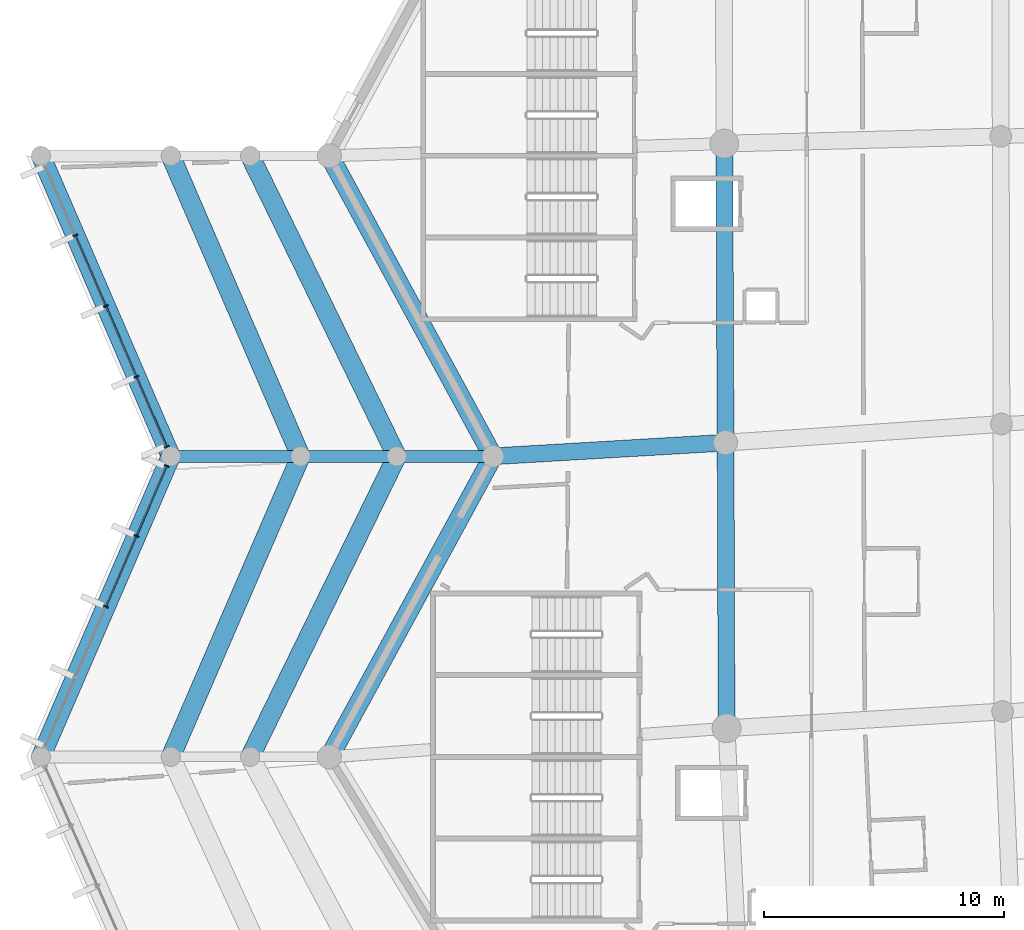
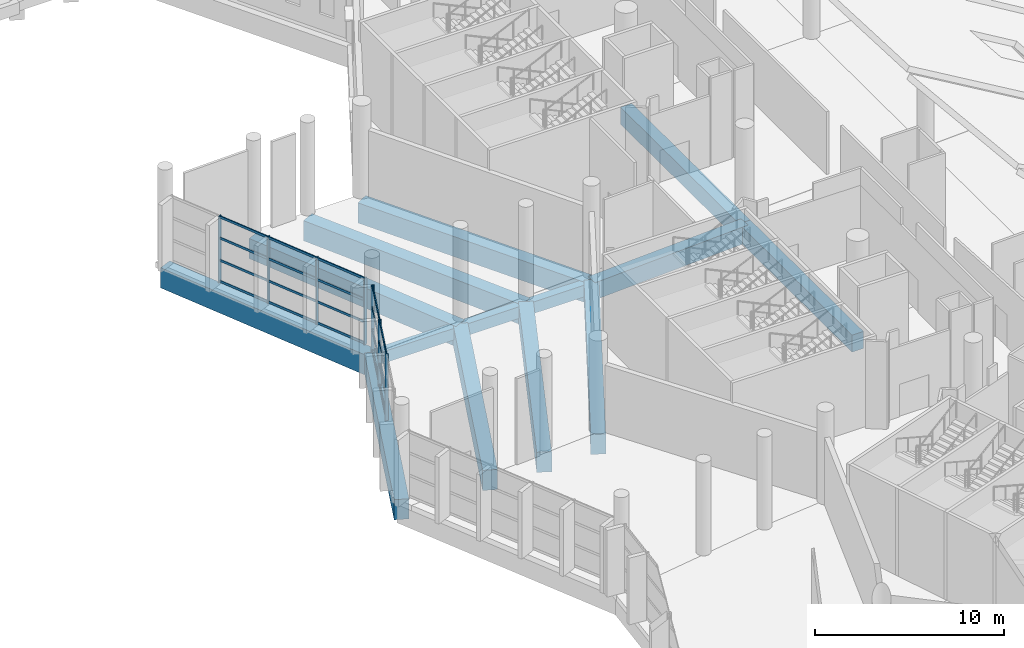
# One storey, part 21 of 249: 27 members, 14 beams, 2 elements without a shape of their own.
"""IFC4 building model written with IfcOpenShell, lengths in metres."""

from ifc_helpers import new_model, si_unit, direction, frame, origin, origin_2d, place, context, subcontext, project, spatial, rectangle, extrude, material, layer, layer_set, material_profile, profile_set, type_object, element, aggregate, save


model = new_model("IFC4")

# Units and contexts
model_context = context("Model", 3, precision=1e-05, world=origin(), true_north=direction((0.0, 1.0)))
body_context = subcontext(model_context, "Body", "Model", "MODEL_VIEW")
ifc_project = project(units=[si_unit("LENGTHUNIT", "METRE"), si_unit("AREAUNIT", "SQUARE_METRE"), si_unit("VOLUMEUNIT", "CUBIC_METRE"), si_unit("PLANEANGLEUNIT", "RADIAN"), si_unit("MASSUNIT", "GRAM", prefix="KILO")], contexts=[model_context])

# Site, building, storey
site_placement = place(None, origin())
site = spatial("IfcSite", under=ifc_project, at=site_placement, CompositionType="ELEMENT")
building_placement = place(site_placement, origin())
building = spatial("IfcBuilding", under=site, at=building_placement, Name="Meseta Stadium", CompositionType="ELEMENT")
storey_placement = place(building_placement, frame((0.0, 0.0, 12.0)))
storey = spatial("IfcBuildingStorey", under=building, at=storey_placement, Name="L02", CompositionType="ELEMENT", Elevation=12.0)

# Beams
ifc_material_1 = material(Name="Concrete C40/50", Category="concrete")
ifc_material_profile_1 = material_profile(ifc_material_1, rectangle(XDim=0.5, YDim=0.75, at=origin_2d()), Name="RC 500x750")
ifc_profile_set_1 = profile_set([ifc_material_profile_1], Name="Concrete C40/50")
beam_type_1 = type_object("IfcBeamType", Name="RC beam 500x750", PredefinedType="BEAM", material=ifc_profile_set_1)
for number, where, z_axis, x_axis, name in (
    (1, (-94.60009765625, -31.25, -0.72509765625), (-1.0, 0.0, 0.0), (0.0, -1.0, 0.0), "L02 radial beam frame 35 line R to M"),
    (2, (-98.60009765625, -31.25, -0.72509765625), (-1.0, 0.0, 0.0), (0.0, -1.0, 0.0), "L02 radial beam frame 35 line M to Q"),
):
    element("IfcBeam", number, at=place(storey_placement, frame(where, z_axis=z_axis, x_axis=x_axis)), inside=storey, type_object=beam_type_1, Name=name, PredefinedType="BEAM", context=body_context, shape_type="SweptSolid", body=[
        extrude(rectangle(XDim=0.5, YDim=0.75, at=origin_2d()), origin(), (0.0, 0.0, 1.0), 4.0),
    ])
beam_1_placement = place(storey_placement, frame((-102.60009765625, -31.25, -0.72509765625), z_axis=(-1.0, 0.0, 0.0), x_axis=(0.0, -1.0, 0.0)))
element("IfcBeam", 3, at=beam_1_placement, inside=storey, type_object=beam_type_1, Name="L02 radial beam frame 35 line Q to O", PredefinedType="BEAM", context=body_context, shape_type="SweptSolid", body=[
    extrude(rectangle(XDim=0.5, YDim=0.75, at=origin_2d()), origin(), (0.0, 0.0, 1.0), 5.39990234375),
])
ifc_material_2 = material(Name="Concrete C40/50", Category="concrete")
ifc_material_profile_2 = material_profile(ifc_material_2, rectangle(XDim=0.699951171875, YDim=1.10009765625, at=origin_2d()), Name="RC 700x1100")
ifc_profile_set_2 = profile_set([ifc_material_profile_2], Name="Concrete C40/50")
beam_type_2 = type_object("IfcBeamType", Name="RC beam 700x1100", PredefinedType="BEAM", material=ifc_profile_set_2)
beam_2_placement = place(storey_placement, frame((-84.978515625, -18.24365234375, -0.89990234375), z_axis=(0.004279001378, -0.999990845032, 0.0), x_axis=(0.999990845032, 0.004279001378, 0.0)))
element("IfcBeam", 4, at=beam_2_placement, inside=storey, type_object=beam_type_2, Name="L02 ring beam frame 34 line P", PredefinedType="BEAM", context=body_context, shape_type="SweptSolid", body=[
    extrude(rectangle(XDim=0.699951171875, YDim=1.10009765625, at=origin_2d()), origin(), (0.0, 0.0, 1.0), 12.43798828125),
])
beam_3_placement = place(storey_placement, frame((-84.92529296875, -30.681640625, -0.89990234375), z_axis=(0.003473057557, -0.999993968917, 0.0), x_axis=(0.999993968917, 0.003473057557, 0.0)))
element("IfcBeam", 5, at=beam_3_placement, inside=storey, type_object=beam_type_2, Name="L02 ring beam frame 35 line P", PredefinedType="BEAM", context=body_context, shape_type="SweptSolid", body=[
    extrude(rectangle(XDim=0.699951171875, YDim=1.10009765625, at=origin_2d()), origin(), (0.0, 0.0, 1.0), 11.8798828125),
])
beam_4_placement = place(storey_placement, frame((-84.92529296875, -30.681640625, -0.89990234375), z_axis=(-0.998278887273, -0.058645231896, 0.0), x_axis=(0.058645231896, -0.998278887273, 0.0)))
element("IfcBeam", 6, at=beam_4_placement, inside=storey, type_object=beam_type_2, Name="L02 radial beam frame 35 line P to R", PredefinedType="BEAM", context=body_context, shape_type="SweptSolid", body=[
    extrude(rectangle(XDim=0.699951171875, YDim=1.10009765625, at=origin_2d()), origin(), (0.0, 0.0, 1.0), 9.69140625),
])
ifc_material_3 = material(Name="Concrete C40/50", Category="concrete")
ifc_material_profile_3 = material_profile(ifc_material_3, rectangle(XDim=0.800048828125, YDim=1.300048828125, at=origin_2d()), Name="RC 800x1300")
ifc_profile_set_3 = profile_set([ifc_material_profile_3], Name="Concrete C40/50")
beam_type_3 = type_object("IfcBeamType", Name="RC beam 800x1300", PredefinedType="BEAM", material=ifc_profile_set_3)
for number, where, z_axis, x_axis, name in (
    (7, (-101.39990234375, -18.75, -1.0), (0.47785649891, -0.878437912689, 0.0), (0.878437912689, 0.47785649891, 0.0), "L02 ring beam frame 34 line R"),
    (8, (-94.60009765625, -31.25, -1.0), (-0.47785649891, -0.878437912689, 0.0), (0.878437912689, -0.47785649891, 0.0), "L02 ring beam frame 35 line R"),
):
    element("IfcBeam", number, at=place(storey_placement, frame(where, z_axis=z_axis, x_axis=x_axis)), inside=storey, type_object=beam_type_3, Name=name, PredefinedType="BEAM", context=body_context, shape_type="SweptSolid", body=[
        extrude(rectangle(XDim=0.800048828125, YDim=1.300048828125, at=origin_2d()), origin(), (0.0, 0.0, 1.0), 14.229736328125),
    ])
beam_5_placement = place(storey_placement, frame((-104.699951171875, -18.75, -1.0), z_axis=(0.438556770405, -0.898703487882, 0.0), x_axis=(0.898703487882, 0.438556770405, 0.0)))
element("IfcBeam", 9, at=beam_5_placement, inside=storey, type_object=beam_type_3, Name="L02 ring beam frame 34 line M", PredefinedType="BEAM", context=body_context, shape_type="SweptSolid", body=[
    extrude(rectangle(XDim=0.800048828125, YDim=1.300048828125, at=origin_2d()), origin(), (0.0, 0.0, 1.0), 13.908935546875),
])
for number, where, z_axis, x_axis, name in (
    (10, (-108.0, -18.75, -1.0), (0.396570645327, -0.918004206562, 0.0), (0.918004206562, 0.396570645327, 0.0), "L02 ring beam frame 34 line Q"),
    (11, (-113.39990234375, -18.75, -1.0), (0.396570645327, -0.918004206562, 0.0), (0.918004206562, 0.396570645327, 0.0), "L02 ring beam frame 34 line O"),
):
    element("IfcBeam", number, at=place(storey_placement, frame(where, z_axis=z_axis, x_axis=x_axis)), inside=storey, type_object=beam_type_3, Name=name, PredefinedType="BEAM", context=body_context, shape_type="SweptSolid", body=[
        extrude(rectangle(XDim=0.800048828125, YDim=1.300048828125, at=origin_2d()), origin(), (0.0, 0.0, 1.0), 13.616455078125),
    ])
beam_6_placement = place(storey_placement, frame((-98.60009765625, -31.25, -1.0), z_axis=(-0.438556770405, -0.898703487882, 0.0), x_axis=(0.898703487882, -0.438556770405, 0.0)))
element("IfcBeam", 12, at=beam_6_placement, inside=storey, type_object=beam_type_3, Name="L02 ring beam frame 35 line M", PredefinedType="BEAM", context=body_context, shape_type="SweptSolid", body=[
    extrude(rectangle(XDim=0.800048828125, YDim=1.300048828125, at=origin_2d()), origin(), (0.0, 0.0, 1.0), 13.908935546875),
])
for number, where, z_axis, x_axis, name in (
    (13, (-102.60009765625, -31.25, -1.0), (-0.396570645327, -0.918004206562, 0.0), (0.918004206562, -0.396570645327, 0.0), "L02 ring beam frame 35 line Q"),
    (14, (-108.0, -31.25, -1.0), (-0.396570645327, -0.918004206562, 0.0), (0.918004206562, -0.396570645327, 0.0), "L02 ring beam frame 35 line O"),
):
    element("IfcBeam", number, at=place(storey_placement, frame(where, z_axis=z_axis, x_axis=x_axis)), inside=storey, type_object=beam_type_3, Name=name, PredefinedType="BEAM", context=body_context, shape_type="SweptSolid", body=[
        extrude(rectangle(XDim=0.800048828125, YDim=1.300048828125, at=origin_2d()), origin(), (0.0, 0.0, 1.0), 13.616455078125),
    ])

# Curtain wall, members
ifc_material_4 = material(Name="Aluminium", Category="aluminium")
ifc_layer = layer(ifc_material_4, 0.199951171875)
ifc_layer_set = layer_set([ifc_layer], Name="Ring shopfront curtain wall")
curtain_wall_type = type_object("IfcCurtainWallType", Name="Ring shopfront curtain wall", PredefinedType="NOTDEFINED", material=ifc_layer_set)
curtain_wall_1_placement = place(storey_placement, origin())
curtain_wall_1 = element("IfcCurtainWall", 15, at=curtain_wall_1_placement, inside=storey, type_object=curtain_wall_type, Name="Ring glazing L02 F34", PredefinedType="NOTDEFINED")
ifc_material_5 = material(Name="Aluminium", Category="aluminium")
ifc_material_profile_4 = material_profile(ifc_material_5, rectangle(XDim=0.199951171875, YDim=0.06005859375, at=origin_2d()), Name="CW 200x60")
ifc_profile_set_4 = profile_set([ifc_material_profile_4], Name="Aluminium")
member_type_1 = type_object("IfcMemberType", Name="Ring CW mullion 60x200", PredefinedType="MULLION", material=ifc_profile_set_4)
member_1_placement = place(storey_placement, frame((-111.970703125, -22.05859375, 0.0), z_axis=(0.0, 0.0, 1.0), x_axis=(0.91799986854, 0.396580687073, 0.0)))
member_1 = element("IfcMember", 16, at=member_1_placement, type_object=member_type_1, Name="CWR1 mullion 2", PredefinedType="MULLION", context=body_context, shape_type="SweptSolid", body=[
    extrude(rectangle(XDim=0.199951171875, YDim=0.06005859375, at=origin_2d()), origin(), (0.0, 0.0, 1.0), 4.300048828125),
])
member_2_placement = place(storey_placement, frame((-110.699951171875, -25.0, 0.0), z_axis=(0.0, 0.0, 1.0), x_axis=(0.91799986854, 0.396580687073, 0.0)))
member_2 = element("IfcMember", 17, at=member_2_placement, type_object=member_type_1, Name="CWR1 mullion 3", PredefinedType="MULLION", context=body_context, shape_type="SweptSolid", body=[
    extrude(rectangle(XDim=0.199951171875, YDim=0.06005859375, at=origin_2d()), origin(), (0.0, 0.0, 1.0), 4.300048828125),
])
member_3_placement = place(storey_placement, frame((-109.42919921875, -27.94140625, 0.0), z_axis=(0.0, 0.0, 1.0), x_axis=(0.91799986854, 0.396580687073, 0.0)))
member_3 = element("IfcMember", 18, at=member_3_placement, type_object=member_type_1, Name="CWR1 mullion 4", PredefinedType="MULLION", context=body_context, shape_type="SweptSolid", body=[
    extrude(rectangle(XDim=0.199951171875, YDim=0.06005859375, at=origin_2d()), origin(), (0.0, 0.0, 1.0), 4.300048828125),
])
member_4_placement = place(storey_placement, frame((-108.17041015625, -30.855224609375, 0.0), z_axis=(0.0, 0.0, 1.0), x_axis=(0.91799986854, 0.396580687073, 0.0)))
member_4 = element("IfcMember", 19, at=member_4_placement, type_object=member_type_1, Name="CWR1 mullion 5", PredefinedType="MULLION", context=body_context, shape_type="SweptSolid", body=[
    extrude(rectangle(XDim=0.199951171875, YDim=0.06005859375, at=origin_2d()), origin(), (0.0, 0.0, 1.0), 4.300048828125),
])

curtain_wall_2_placement = place(storey_placement, origin())
curtain_wall_2 = element("IfcCurtainWall", 20, at=curtain_wall_2_placement, inside=storey, type_object=curtain_wall_type, Name="Ring glazing L02 F35", PredefinedType="NOTDEFINED")
member_5_placement = place(storey_placement, frame((-108.17041015625, -31.644775390625, 0.0), z_axis=(0.0, 0.0, 1.0), x_axis=(0.91799986854, -0.396580687073, 0.0)))
member_5 = element("IfcMember", 21, at=member_5_placement, type_object=member_type_1, Name="CWR1 mullion 1", PredefinedType="MULLION", context=body_context, shape_type="SweptSolid", body=[
    extrude(rectangle(XDim=0.199951171875, YDim=0.06005859375, at=origin_2d()), origin(), (0.0, 0.0, 1.0), 4.300048828125),
])
member_6_placement = place(storey_placement, frame((-109.42919921875, -34.55859375, 0.0), z_axis=(0.0, 0.0, 1.0), x_axis=(0.91799986854, -0.396580687073, 0.0)))
member_6 = element("IfcMember", 22, at=member_6_placement, type_object=member_type_1, Name="CWR1 mullion 2", PredefinedType="MULLION", context=body_context, shape_type="SweptSolid", body=[
    extrude(rectangle(XDim=0.199951171875, YDim=0.06005859375, at=origin_2d()), origin(), (0.0, 0.0, 1.0), 4.300048828125),
])
member_7_placement = place(storey_placement, frame((-110.699951171875, -37.5, 0.0), z_axis=(0.0, 0.0, 1.0), x_axis=(0.91799986854, -0.396580687073, 0.0)))
member_7 = element("IfcMember", 23, at=member_7_placement, type_object=member_type_1, Name="CWR1 mullion 3", PredefinedType="MULLION", context=body_context, shape_type="SweptSolid", body=[
    extrude(rectangle(XDim=0.199951171875, YDim=0.06005859375, at=origin_2d()), origin(), (0.0, 0.0, 1.0), 4.300048828125),
])

# Member
ifc_material_6 = material(Name="Aluminium", Category="aluminium")
ifc_material_profile_5 = material_profile(ifc_material_6, rectangle(XDim=0.06005859375, YDim=0.14990234375, at=origin_2d()), Name="CW 60x150")
ifc_profile_set_5 = profile_set([ifc_material_profile_5], Name="Aluminium")
member_type_2 = type_object("IfcMemberType", Name="Ring CW transom 60x150", PredefinedType="USERDEFINED", material=ifc_profile_set_5)
member_8_placement = place(storey_placement, frame((-111.958740234375, -22.086181640625, 0.074951171875), z_axis=(0.396569883564, -0.918004535637, 0.0), x_axis=(0.918004535637, 0.396569883564, 0.0)))
member_8 = element("IfcMember", 24, at=member_8_placement, type_object=member_type_2, Name="CWR1 transom 2.1", ObjectType="TRANSOM", PredefinedType="USERDEFINED", context=body_context, shape_type="SweptSolid", body=[
    extrude(rectangle(XDim=0.06005859375, YDim=0.14990234375, at=origin_2d()), origin(), (0.0, 0.0, 1.0), 3.14404296875),
])

member_9_placement = place(storey_placement, frame((-111.958740234375, -22.086181640625, 1.433349609375), z_axis=(0.396569883564, -0.918004535637, 0.0), x_axis=(0.918004535637, 0.396569883564, 0.0)))
member_9 = element("IfcMember", 25, at=member_9_placement, type_object=member_type_2, Name="CWR1 transom 2.2", ObjectType="TRANSOM", PredefinedType="USERDEFINED", context=body_context, shape_type="SweptSolid", body=[
    extrude(rectangle(XDim=0.06005859375, YDim=0.14990234375, at=origin_2d()), origin(), (0.0, 0.0, 1.0), 3.14404296875),
])

member_10_placement = place(storey_placement, frame((-111.958740234375, -22.086181640625, 2.86669921875), z_axis=(0.396569883564, -0.918004535637, 0.0), x_axis=(0.918004535637, 0.396569883564, 0.0)))
member_10 = element("IfcMember", 26, at=member_10_placement, type_object=member_type_2, Name="CWR1 transom 2.3", ObjectType="TRANSOM", PredefinedType="USERDEFINED", context=body_context, shape_type="SweptSolid", body=[
    extrude(rectangle(XDim=0.06005859375, YDim=0.14990234375, at=origin_2d()), origin(), (0.0, 0.0, 1.0), 3.14404296875),
])

member_11_placement = place(storey_placement, frame((-111.958740234375, -22.086181640625, 4.22509765625), z_axis=(0.396569883564, -0.918004535637, 0.0), x_axis=(0.918004535637, 0.396569883564, 0.0)))
member_11 = element("IfcMember", 27, at=member_11_placement, type_object=member_type_2, Name="CWR1 transom 2.4", ObjectType="TRANSOM", PredefinedType="USERDEFINED", context=body_context, shape_type="SweptSolid", body=[
    extrude(rectangle(XDim=0.06005859375, YDim=0.14990234375, at=origin_2d()), origin(), (0.0, 0.0, 1.0), 3.14404296875),
])

member_12_placement = place(storey_placement, frame((-110.68798828125, -25.027587890625, 0.074951171875), z_axis=(0.396569883564, -0.918004535637, 0.0), x_axis=(0.918004535637, 0.396569883564, 0.0)))
member_12 = element("IfcMember", 28, at=member_12_placement, type_object=member_type_2, Name="CWR1 transom 3.1", ObjectType="TRANSOM", PredefinedType="USERDEFINED", context=body_context, shape_type="SweptSolid", body=[
    extrude(rectangle(XDim=0.06005859375, YDim=0.14990234375, at=origin_2d()), origin(), (0.0, 0.0, 1.0), 3.14404296875),
])

member_13_placement = place(storey_placement, frame((-110.68798828125, -25.027587890625, 1.433349609375), z_axis=(0.396569883564, -0.918004535637, 0.0), x_axis=(0.918004535637, 0.396569883564, 0.0)))
member_13 = element("IfcMember", 29, at=member_13_placement, type_object=member_type_2, Name="CWR1 transom 3.2", ObjectType="TRANSOM", PredefinedType="USERDEFINED", context=body_context, shape_type="SweptSolid", body=[
    extrude(rectangle(XDim=0.06005859375, YDim=0.14990234375, at=origin_2d()), origin(), (0.0, 0.0, 1.0), 3.14404296875),
])

member_14_placement = place(storey_placement, frame((-110.68798828125, -25.027587890625, 2.86669921875), z_axis=(0.396569883564, -0.918004535637, 0.0), x_axis=(0.918004535637, 0.396569883564, 0.0)))
member_14 = element("IfcMember", 30, at=member_14_placement, type_object=member_type_2, Name="CWR1 transom 3.3", ObjectType="TRANSOM", PredefinedType="USERDEFINED", context=body_context, shape_type="SweptSolid", body=[
    extrude(rectangle(XDim=0.06005859375, YDim=0.14990234375, at=origin_2d()), origin(), (0.0, 0.0, 1.0), 3.14404296875),
])

member_15_placement = place(storey_placement, frame((-110.68798828125, -25.027587890625, 4.22509765625), z_axis=(0.396569883564, -0.918004535637, 0.0), x_axis=(0.918004535637, 0.396569883564, 0.0)))
member_15 = element("IfcMember", 31, at=member_15_placement, type_object=member_type_2, Name="CWR1 transom 3.4", ObjectType="TRANSOM", PredefinedType="USERDEFINED", context=body_context, shape_type="SweptSolid", body=[
    extrude(rectangle(XDim=0.06005859375, YDim=0.14990234375, at=origin_2d()), origin(), (0.0, 0.0, 1.0), 3.14404296875),
])

member_16_placement = place(storey_placement, frame((-109.41748046875, -27.968994140625, 0.074951171875), z_axis=(0.396623730244, -0.917981272471, 0.0), x_axis=(0.917981272471, 0.396623730244, 0.0)))
member_16 = element("IfcMember", 32, at=member_16_placement, type_object=member_type_2, Name="CWR1 transom 4.1", ObjectType="TRANSOM", PredefinedType="USERDEFINED", context=body_context, shape_type="SweptSolid", body=[
    extrude(rectangle(XDim=0.06005859375, YDim=0.14990234375, at=origin_2d()), origin(), (0.0, 0.0, 1.0), 3.114013671875),
])

member_17_placement = place(storey_placement, frame((-109.41748046875, -27.968994140625, 1.433349609375), z_axis=(0.396623730244, -0.917981272471, 0.0), x_axis=(0.917981272471, 0.396623730244, 0.0)))
member_17 = element("IfcMember", 33, at=member_17_placement, type_object=member_type_2, Name="CWR1 transom 4.2", ObjectType="TRANSOM", PredefinedType="USERDEFINED", context=body_context, shape_type="SweptSolid", body=[
    extrude(rectangle(XDim=0.06005859375, YDim=0.14990234375, at=origin_2d()), origin(), (0.0, 0.0, 1.0), 3.114013671875),
])

member_18_placement = place(storey_placement, frame((-109.41748046875, -27.968994140625, 2.86669921875), z_axis=(0.396623730244, -0.917981272471, 0.0), x_axis=(0.917981272471, 0.396623730244, 0.0)))
member_18 = element("IfcMember", 34, at=member_18_placement, type_object=member_type_2, Name="CWR1 transom 4.3", ObjectType="TRANSOM", PredefinedType="USERDEFINED", context=body_context, shape_type="SweptSolid", body=[
    extrude(rectangle(XDim=0.06005859375, YDim=0.14990234375, at=origin_2d()), origin(), (0.0, 0.0, 1.0), 3.114013671875),
])

member_19_placement = place(storey_placement, frame((-109.41748046875, -27.968994140625, 4.22509765625), z_axis=(0.396623730244, -0.917981272471, 0.0), x_axis=(0.917981272471, 0.396623730244, 0.0)))
member_19 = element("IfcMember", 35, at=member_19_placement, type_object=member_type_2, Name="CWR1 transom 4.4", ObjectType="TRANSOM", PredefinedType="USERDEFINED", context=body_context, shape_type="SweptSolid", body=[
    extrude(rectangle(XDim=0.06005859375, YDim=0.14990234375, at=origin_2d()), origin(), (0.0, 0.0, 1.0), 3.114013671875),
])

aggregate(curtain_wall_1, [member_1, member_2, member_3, member_4, member_8, member_9, member_10, member_11, member_12, member_13, member_14, member_15, member_16, member_17, member_18, member_19])

member_20_placement = place(storey_placement, frame((-108.182373046875, -31.67236328125, 0.074951171875), z_axis=(-0.396623730244, -0.917981272471, 0.0), x_axis=(0.917981272471, -0.396623730244, 0.0)))
member_20 = element("IfcMember", 36, at=member_20_placement, type_object=member_type_2, Name="CWR1 transom 1.1", ObjectType="TRANSOM", PredefinedType="USERDEFINED", context=body_context, shape_type="SweptSolid", body=[
    extrude(rectangle(XDim=0.06005859375, YDim=0.14990234375, at=origin_2d()), origin(), (0.0, 0.0, 1.0), 3.114013671875),
])

member_21_placement = place(storey_placement, frame((-108.182373046875, -31.67236328125, 1.433349609375), z_axis=(-0.396623730244, -0.917981272471, 0.0), x_axis=(0.917981272471, -0.396623730244, 0.0)))
member_21 = element("IfcMember", 37, at=member_21_placement, type_object=member_type_2, Name="CWR1 transom 1.2", ObjectType="TRANSOM", PredefinedType="USERDEFINED", context=body_context, shape_type="SweptSolid", body=[
    extrude(rectangle(XDim=0.06005859375, YDim=0.14990234375, at=origin_2d()), origin(), (0.0, 0.0, 1.0), 3.114013671875),
])

member_22_placement = place(storey_placement, frame((-108.182373046875, -31.67236328125, 2.86669921875), z_axis=(-0.396623730244, -0.917981272471, 0.0), x_axis=(0.917981272471, -0.396623730244, 0.0)))
member_22 = element("IfcMember", 38, at=member_22_placement, type_object=member_type_2, Name="CWR1 transom 1.3", ObjectType="TRANSOM", PredefinedType="USERDEFINED", context=body_context, shape_type="SweptSolid", body=[
    extrude(rectangle(XDim=0.06005859375, YDim=0.14990234375, at=origin_2d()), origin(), (0.0, 0.0, 1.0), 3.114013671875),
])

member_23_placement = place(storey_placement, frame((-108.182373046875, -31.67236328125, 4.22509765625), z_axis=(-0.396623730244, -0.917981272471, 0.0), x_axis=(0.917981272471, -0.396623730244, 0.0)))
member_23 = element("IfcMember", 39, at=member_23_placement, type_object=member_type_2, Name="CWR1 transom 1.4", ObjectType="TRANSOM", PredefinedType="USERDEFINED", context=body_context, shape_type="SweptSolid", body=[
    extrude(rectangle(XDim=0.06005859375, YDim=0.14990234375, at=origin_2d()), origin(), (0.0, 0.0, 1.0), 3.114013671875),
])

member_24_placement = place(storey_placement, frame((-109.441162109375, -34.586181640625, 0.074951171875), z_axis=(-0.396569883564, -0.918004535637, 0.0), x_axis=(0.918004535637, -0.396569883564, 0.0)))
member_24 = element("IfcMember", 40, at=member_24_placement, type_object=member_type_2, Name="CWR1 transom 2.1", ObjectType="TRANSOM", PredefinedType="USERDEFINED", context=body_context, shape_type="SweptSolid", body=[
    extrude(rectangle(XDim=0.06005859375, YDim=0.14990234375, at=origin_2d()), origin(), (0.0, 0.0, 1.0), 3.14404296875),
])

member_25_placement = place(storey_placement, frame((-109.441162109375, -34.586181640625, 1.433349609375), z_axis=(-0.396569883564, -0.918004535637, 0.0), x_axis=(0.918004535637, -0.396569883564, 0.0)))
member_25 = element("IfcMember", 41, at=member_25_placement, type_object=member_type_2, Name="CWR1 transom 2.2", ObjectType="TRANSOM", PredefinedType="USERDEFINED", context=body_context, shape_type="SweptSolid", body=[
    extrude(rectangle(XDim=0.06005859375, YDim=0.14990234375, at=origin_2d()), origin(), (0.0, 0.0, 1.0), 3.14404296875),
])

member_26_placement = place(storey_placement, frame((-109.441162109375, -34.586181640625, 2.86669921875), z_axis=(-0.396569883564, -0.918004535637, 0.0), x_axis=(0.918004535637, -0.396569883564, 0.0)))
member_26 = element("IfcMember", 42, at=member_26_placement, type_object=member_type_2, Name="CWR1 transom 2.3", ObjectType="TRANSOM", PredefinedType="USERDEFINED", context=body_context, shape_type="SweptSolid", body=[
    extrude(rectangle(XDim=0.06005859375, YDim=0.14990234375, at=origin_2d()), origin(), (0.0, 0.0, 1.0), 3.14404296875),
])

member_27_placement = place(storey_placement, frame((-109.441162109375, -34.586181640625, 4.22509765625), z_axis=(-0.396569883564, -0.918004535637, 0.0), x_axis=(0.918004535637, -0.396569883564, 0.0)))
member_27 = element("IfcMember", 43, at=member_27_placement, type_object=member_type_2, Name="CWR1 transom 2.4", ObjectType="TRANSOM", PredefinedType="USERDEFINED", context=body_context, shape_type="SweptSolid", body=[
    extrude(rectangle(XDim=0.06005859375, YDim=0.14990234375, at=origin_2d()), origin(), (0.0, 0.0, 1.0), 3.14404296875),
])

aggregate(curtain_wall_2, [member_5, member_6, member_7, member_20, member_21, member_22, member_23, member_24, member_25, member_26, member_27])

save(model, "model.ifc")
